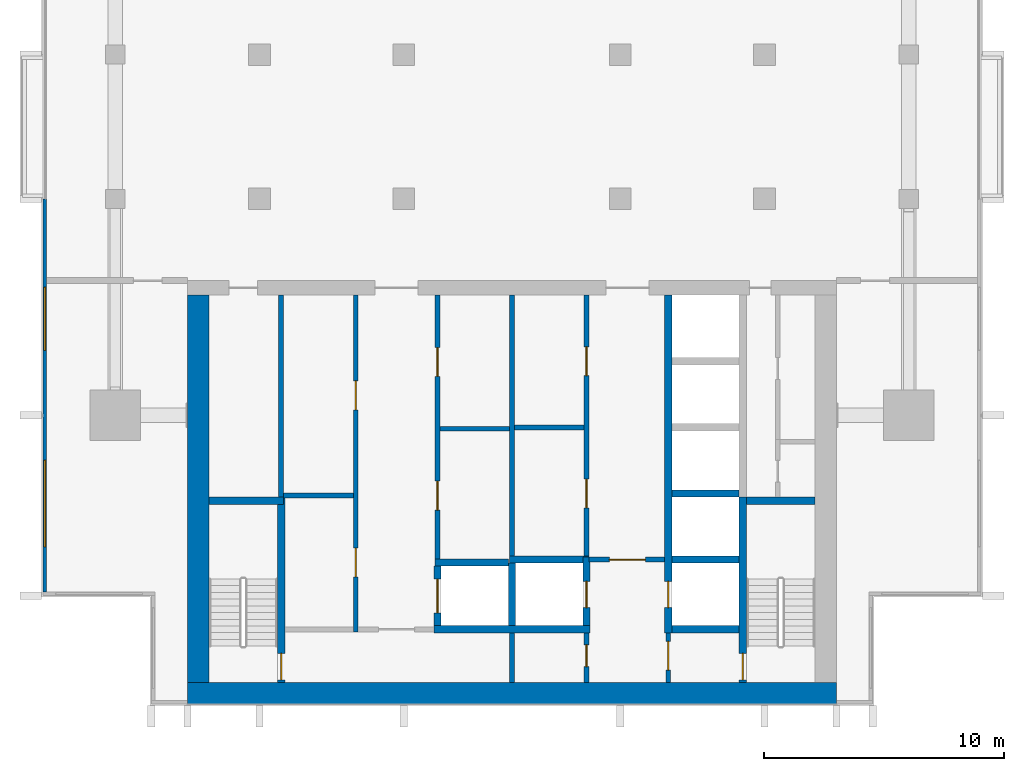
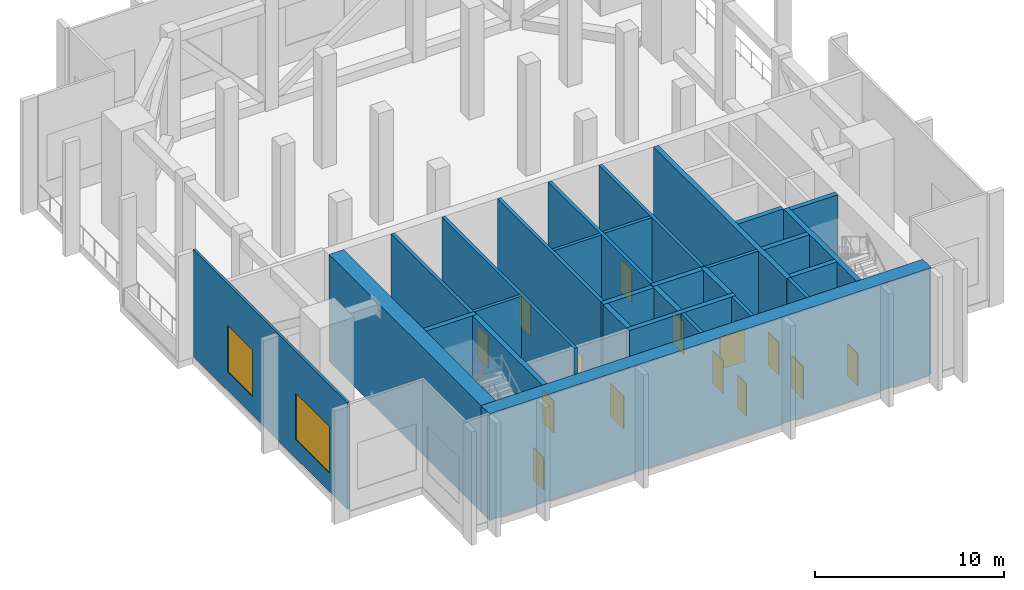
# One storey, part 2 of 9: 29 walls, 14 doors, 2 windows, 16 openings.
"""IFC4 building model written with IfcOpenShell, lengths in metres."""

import ifcopenshell
import ifcopenshell.guid

model = None  # the IFC model being written
_history = None  # IfcOwnerHistory: only IFC2X3 demands one
_inside = {}  # id of a spatial element -> (the spatial element, [elements in it])
_under = {}  # id of a project, library or spatial element -> (it, [spatial elements below it])
_declared = {}  # id of a project -> (the project, [libraries it declares])
_typed = {}  # id of a type object -> (the type object, [elements of that type])
_made_of = {}  # id of a material, layer set ... -> (it, [elements and type objects made of it])


def new_model(schema):
    """Start an empty IFC model of exactly this schema.

    Asked for "IFC4X3", IfcOpenShell would pick the latest addendum, in which some entities
    have other attributes; the version numbers below select the first issue.
    IFC2X3 requires an IfcOwnerHistory on every rooted entity: one is made here for all.
    """
    global model, _history
    if schema == "IFC4X3":
        model = ifcopenshell.file(schema_version=(4, 3, 0, 0))
    else:
        model = ifcopenshell.file(schema=schema)
    _inside.clear()
    _under.clear()
    _declared.clear()
    _typed.clear()
    _made_of.clear()
    _history = None
    if model.schema == "IFC2X3":
        org = make("IfcOrganization", Name="unknown")
        user = make(
            "IfcPersonAndOrganization",
            ThePerson=make("IfcPerson", FamilyName="unknown"),
            TheOrganization=org,
        )
        app = make(
            "IfcApplication",
            ApplicationDeveloper=org,
            Version="unknown",
            ApplicationFullName="unknown",
            ApplicationIdentifier="unknown",
        )
        _history = make(
            "IfcOwnerHistory",
            OwningUser=user,
            OwningApplication=app,
            ChangeAction="ADDED",
            CreationDate=0,
        )
    return model


def make(cls, **values):
    """One entity of the class cls with the attributes given. An attribute that is None is left unset."""
    return model.create_entity(
        cls, **{name: value for name, value in values.items() if value is not None}
    )


def rooted(cls, **values):
    """An entity with a GlobalId (a new one), such as an element, a storey or a relation."""
    return make(cls, GlobalId=ifcopenshell.guid.new(), OwnerHistory=_history, **values)


def si_unit(unit_type, name, prefix=None):
    """IfcSIUnit, for example si_unit("LENGTHUNIT", "METRE", prefix="MILLI")."""
    return make("IfcSIUnit", UnitType=unit_type, Prefix=prefix, Name=name)


def assignment(units):
    """IfcUnitAssignment: the units of a project."""
    return None if units is None else make("IfcUnitAssignment", Units=units)


def point(xyz):
    """IfcCartesianPoint."""
    return None if xyz is None else make("IfcCartesianPoint", Coordinates=xyz)


def direction(xyz):
    """IfcDirection."""
    return None if xyz is None else make("IfcDirection", DirectionRatios=xyz)


def frame(location, z_axis=None, x_axis=None):
    """IfcAxis2Placement3D, a coordinate frame: its origin and axes. An axis left out is left unset."""
    return make(
        "IfcAxis2Placement3D",
        Location=point(location),
        Axis=direction(z_axis),
        RefDirection=direction(x_axis),
    )


def frame_2d(location, x_axis=None):
    """IfcAxis2Placement2D, a coordinate frame in the plane: its origin and x axis."""
    return make(
        "IfcAxis2Placement2D", Location=point(location), RefDirection=direction(x_axis)
    )


def origin():
    """The frame at (0, 0, 0) with its axes left unset."""
    return frame((0.0, 0.0, 0.0))


def place(relative_to, where):
    """IfcLocalPlacement: puts the frame where relative to a parent placement (None: the world)."""
    return make(
        "IfcLocalPlacement", PlacementRelTo=relative_to, RelativePlacement=where
    )


def context(
    kind, dimensions, precision=None, world=None, true_north=None, identifier=None
):
    """IfcGeometricRepresentationContext, for example the 3D "Model" context."""
    return make(
        "IfcGeometricRepresentationContext",
        ContextIdentifier=identifier,
        ContextType=kind,
        CoordinateSpaceDimension=dimensions,
        Precision=precision,
        WorldCoordinateSystem=world,
        TrueNorth=true_north,
    )


def subcontext(parent, identifier, kind, view, scale=None):
    """IfcGeometricRepresentationSubContext, for example "Body" below "Model"."""
    return make(
        "IfcGeometricRepresentationSubContext",
        ContextIdentifier=identifier,
        ContextType=kind,
        ParentContext=parent,
        TargetScale=scale,
        TargetView=view,
    )


def project(units=None, contexts=None):
    """IfcProject with its units and contexts."""
    return rooted(
        "IfcProject",
        Name="project",
        RepresentationContexts=contexts,
        UnitsInContext=assignment(units),
    )


def spatial(cls, under=None, at=None, **own):
    """A site, building, storey or space (cls), placed at a placement, below another one or the project."""
    s = rooted(cls, ObjectPlacement=at, **own)
    if under is not None:
        _under.setdefault(under.id(), (under, []))[1].append(s)
    return s


def profile(cls, at=None, kind="AREA", **sizes):
    """A parametric profile (cls). Its sizes go by their IFC names, for example OverallWidth=200.0."""
    return make(cls, ProfileType=kind, Position=at, **sizes)


def rectangle(**sizes):
    """IfcRectangleProfileDef."""
    return profile("IfcRectangleProfileDef", **sizes)


def extrude(swept, where, along, depth):
    """IfcExtrudedAreaSolid: the profile swept, set in the frame where, extruded along a direction by depth."""
    return make(
        "IfcExtrudedAreaSolid",
        SweptArea=swept,
        Position=where,
        ExtrudedDirection=direction(along),
        Depth=depth,
    )


def shape(context_of_items, identifier, shape_type, items):
    """IfcShapeRepresentation: the items that make up one representation, for example the "Body"."""
    return make(
        "IfcShapeRepresentation",
        ContextOfItems=context_of_items,
        RepresentationIdentifier=identifier,
        RepresentationType=shape_type,
        Items=items,
    )


def material(Name=None, Category=None):
    """IfcMaterial."""
    return make("IfcMaterial", Name=Name, Category=Category)


def layer(
    of_material, thickness, ventilated=None, Name=None, Category=None, Priority=None
):
    """IfcMaterialLayer: one layer of a wall or slab, of a material (None: an air gap)."""
    return make(
        "IfcMaterialLayer",
        Material=of_material,
        LayerThickness=thickness,
        IsVentilated=ventilated,
        Name=Name,
        Category=Category,
        Priority=Priority,
    )


def layer_set(layers, Name=None):
    """IfcMaterialLayerSet."""
    return make("IfcMaterialLayerSet", MaterialLayers=layers, LayerSetName=Name)


def made_of(thing, what):
    """Note that an element or type object is made of a material, layer set ...; save() writes the relation."""
    if what is not None:
        _made_of.setdefault(what.id(), (what, []))[1].append(thing)
    return thing


def type_object(cls, material=None, **own):
    """A type object (cls), such as IfcWallType, which elements share."""
    return made_of(rooted(cls, **own), material)


def element(
    cls,
    number,
    at=None,
    inside=None,
    cuts=None,
    type_object=None,
    material=None,
    context=None,
    identifier="Body",
    shape_type=None,
    held_by="IfcProductDefinitionShape",
    body=None,
    shapes=None,
    **own,
):
    """One element of the class cls, such as IfcWall. Its Tag is "e" and its number.

    at: its placement. inside: the storey or other place that contains it. cuts: it is an
    opening in that element (IfcRelVoidsElement). A single representation is given by context,
    identifier, shape_type and body (its items); several are given by shapes. held_by: the class
    of the entity that holds the representations. save() writes the other relations.
    """
    e = rooted(cls, Tag="e%d" % number, ObjectPlacement=at, **own)
    if body is not None:
        shapes = [shape(context, identifier, shape_type, body)]
    if shapes is not None:
        e.Representation = make(held_by, Representations=shapes)
    if inside is not None:
        _inside.setdefault(inside.id(), (inside, []))[1].append(e)
    if cuts is not None:
        rooted(
            "IfcRelVoidsElement", RelatingBuildingElement=cuts, RelatedOpeningElement=e
        )
    if type_object is not None:
        _typed.setdefault(type_object.id(), (type_object, []))[1].append(e)
    return made_of(e, material)


def fill(opening, filler):
    """IfcRelFillsElement: the door or window that sits in an opening."""
    return rooted(
        "IfcRelFillsElement",
        RelatingOpeningElement=opening,
        RelatedBuildingElement=filler,
    )


def aggregate(whole, parts):
    """IfcRelAggregates: a whole, such as a stair, and the parts it consists of."""
    return rooted("IfcRelAggregates", RelatingObject=whole, RelatedObjects=parts)


def save(model, path):
    """Write the relations noted so far, then the file.

    IfcRelAggregates (storeys below a building ...), IfcRelContainedInSpatialStructure (elements
    in a storey), IfcRelDefinesByType, IfcRelAssociatesMaterial and IfcRelDeclares: one each for
    every whole, place, type object, material and project.
    """
    for whole, parts in _under.values():
        aggregate(whole, parts)
    for where, things in _inside.values():
        rooted(
            "IfcRelContainedInSpatialStructure",
            RelatedElements=things,
            RelatingStructure=where,
        )
    for kind, things in _typed.values():
        rooted("IfcRelDefinesByType", RelatedObjects=things, RelatingType=kind)
    for what, things in _made_of.values():
        rooted("IfcRelAssociatesMaterial", RelatedObjects=things, RelatingMaterial=what)
    for by, libraries in _declared.values():
        rooted("IfcRelDeclares", RelatingContext=by, RelatedDefinitions=libraries)
    model.write(path)


model = new_model("IFC4")

# Units and contexts
model_context = context("Model", 3, precision=1e-05, world=origin(), true_north=direction((0.0, 1.0)))
body_context = subcontext(model_context, "Body", "Model", "MODEL_VIEW")
ifc_project = project(units=[si_unit("LENGTHUNIT", "METRE"), si_unit("AREAUNIT", "SQUARE_METRE"), si_unit("VOLUMEUNIT", "CUBIC_METRE"), si_unit("PLANEANGLEUNIT", "RADIAN"), si_unit("MASSUNIT", "GRAM", prefix="KILO")], contexts=[model_context])

# Site, building, storey
site_placement = place(None, origin())
site = spatial("IfcSite", under=ifc_project, at=site_placement, CompositionType="ELEMENT")
building_placement = place(site_placement, origin())
building = spatial("IfcBuilding", under=site, at=building_placement, Name="Finial Court Residences", CompositionType="ELEMENT")
storey_placement = place(building_placement, frame((0.0, 0.0, 248.300048828125)))
storey = spatial("IfcBuildingStorey", under=building, at=storey_placement, Name="L63", CompositionType="ELEMENT", Elevation=248.300048828125)

# Walls
ifc_material_1 = material(Name="Concrete C60/75", Category="concrete")
ifc_layer_1 = layer(ifc_material_1, 0.89990234375)
ifc_layer_set_1 = layer_set([ifc_layer_1], Name="Core outer wall 900 Concrete C60/75")
wall_type_1 = type_object("IfcWallType", Name="Core outer wall 900 Concrete C60/75", PredefinedType="SHEAR", material=ifc_layer_set_1)
wall_1_placement = place(storey_placement, frame((-13.050048828125, -24.60009765625, 0.0), z_axis=(0.0, 0.0, 1.0), x_axis=(0.0, 1.0, 0.0)))
element("IfcWall", 1, at=wall_1_placement, inside=storey, type_object=wall_type_1, Name="Core outer wall L63-03", PredefinedType="SHEAR", context=body_context, shape_type="SweptSolid", body=[
    extrude(rectangle(XDim=16.10009765625, YDim=0.89990234375, at=frame_2d((8.050048828125, 0.0))), origin(), (0.0, 0.0, 1.0), 6.89990234375),
])
ifc_layer_2 = layer(ifc_material_1, 0.89990234375)
ifc_layer_set_2 = layer_set([ifc_layer_2], Name="Core south facade wall 900 Concrete C60/75")
wall_type_2 = type_object("IfcWallType", Name="Core south facade wall 900 Concrete C60/75", PredefinedType="SHEAR", material=ifc_layer_set_2)
wall_2_placement = place(storey_placement, frame((-13.5, -25.050048828125, 0.0), z_axis=(0.0, 0.0, 1.0), x_axis=(1.0, 0.0, 0.0)))
element("IfcWall", 2, at=wall_2_placement, inside=storey, type_object=wall_type_2, Name="Core outer wall L63-01", PredefinedType="SHEAR", context=body_context, shape_type="SweptSolid", body=[
    extrude(rectangle(XDim=27.0, YDim=0.89990234375, at=frame_2d((13.5, 0.0))), origin(), (0.0, 0.0, 1.0), 6.89990234375),
])

# Wall, opening, door
ifc_material_2 = material(Name="Fire-rated gypsum board partition")
ifc_layer_3 = layer(ifc_material_2, 0.199951171875)
ifc_layer_set_3 = layer_set([ifc_layer_3], Name="Firefighting lobby wall 200 EI 120")
wall_type_3 = type_object("IfcWallType", Name="Firefighting lobby wall 200 EI 120", PredefinedType="PARTITIONING", material=ifc_layer_set_3)
wall_3_placement = place(storey_placement, frame((6.35009765625, -19.5, 0.0), z_axis=(0.0, 0.0, 1.0), x_axis=(-1.0, 0.0, 0.0)))
wall_3 = element("IfcWall", 3, at=wall_3_placement, inside=storey, type_object=wall_type_3, Name="Core partition L63-07", PredefinedType="PARTITIONING", context=body_context, shape_type="SweptSolid", body=[
    extrude(rectangle(XDim=3.150146484375, YDim=0.199951171875, at=frame_2d((1.5751953125, 0.0))), origin(), (0.0, 0.0, 1.0), 6.89990234375),
])
opening_1_placement = place(wall_3_placement, frame((0.800048828125, 0.0, 0.0)))
opening_1 = element("IfcOpeningElement", 4, at=opening_1_placement, cuts=wall_3, Name="Opening L63-C02", PredefinedType="OPENING", context=body_context, shape_type="SweptSolid", body=[
    extrude(rectangle(XDim=1.5, YDim=2.10009765625, at=frame_2d((0.75, 1.050048828125))), frame((0.0, 0.10986328125, 0.0), z_axis=(0.0, -1.0, 0.0), x_axis=(1.0, 0.0, 0.0)), (0.0, 0.0, 1.0), 0.219970703125),
])
ifc_material_3 = material(Name="Steel fire door", Category="steel")
door_type_1 = type_object("IfcDoorType", Name="Firefighting lobby door 1500 x 2100 EI 90", OperationType="DOUBLE_DOOR_SINGLE_SWING", PredefinedType="DOOR", material=ifc_material_3)
door_1_placement = place(opening_1_placement, origin())
door_1 = element("IfcDoor", 5, at=door_1_placement, inside=storey, type_object=door_type_1, Name="Firefighting lobby door L63-C02", OperationType="DOUBLE_DOOR_SINGLE_SWING", OverallHeight=2.10009765625, OverallWidth=1.5, PredefinedType="DOOR", context=body_context, shape_type="SweptSolid", body=[
    extrude(rectangle(XDim=1.5, YDim=2.10009765625, at=frame_2d((0.75, 1.050048828125))), frame((0.0, 0.02490234375, 0.0), z_axis=(0.0, -1.0, 0.0), x_axis=(1.0, 0.0, 0.0)), (0.0, 0.0, 1.0), 0.050048828125),
])
fill(opening_1, door_1)

wall_4_placement = place(storey_placement, frame((3.10009765625, -24.60009765625, 0.0), z_axis=(0.0, 0.0, 1.0), x_axis=(0.0, 1.0, 0.0)))
wall_4 = element("IfcWall", 6, at=wall_4_placement, inside=storey, type_object=wall_type_3, Name="Core partition L63-26", PredefinedType="PARTITIONING", context=body_context, shape_type="SweptSolid", body=[
    extrude(rectangle(XDim=2.050048828125, YDim=0.199951171875, at=frame_2d((1.02490234375, 0.0))), origin(), (0.0, 0.0, 1.0), 6.89990234375),
])
opening_2_placement = place(wall_4_placement, frame((0.64990234375, 0.0, 0.0)))
opening_2 = element("IfcOpeningElement", 7, at=opening_2_placement, cuts=wall_4, Name="Opening L63-C15", PredefinedType="OPENING", context=body_context, shape_type="SweptSolid", body=[
    extrude(rectangle(XDim=0.89990234375, YDim=2.10009765625, at=frame_2d((0.449951171875, 1.050048828125))), frame((0.0, 0.10986328125, 0.0), z_axis=(0.0, -1.0, 0.0), x_axis=(1.0, 0.0, 0.0)), (0.0, 0.0, 1.0), 0.219970703125),
])
door_type_2 = type_object("IfcDoorType", Name="Riser room door 900 x 2100 EI 90", OperationType="NOTDEFINED", PredefinedType="DOOR", material=ifc_material_3)
door_2_placement = place(opening_2_placement, origin())
door_2 = element("IfcDoor", 8, at=door_2_placement, inside=storey, type_object=door_type_2, Name="Riser room door L63-C15", OperationType="SINGLE_SWING_LEFT", OverallHeight=2.10009765625, OverallWidth=0.89990234375, PredefinedType="DOOR", context=body_context, shape_type="SweptSolid", body=[
    extrude(rectangle(XDim=0.89990234375, YDim=2.10009765625, at=frame_2d((0.449951171875, 1.050048828125))), frame((0.0, 0.02490234375, 0.0), z_axis=(0.0, -1.0, 0.0), x_axis=(1.0, 0.0, 0.0)), (0.0, 0.0, 1.0), 0.050048828125),
])
fill(opening_2, door_2)

wall_5_placement = place(storey_placement, frame((6.5, -22.550048828125, 0.0), z_axis=(0.0, 0.0, 1.0), x_axis=(0.0, -1.0, 0.0)))
wall_5 = element("IfcWall", 9, at=wall_5_placement, inside=storey, type_object=wall_type_3, Name="Core partition L63-29", PredefinedType="PARTITIONING", context=body_context, shape_type="SweptSolid", body=[
    extrude(rectangle(XDim=2.050048828125, YDim=0.199951171875, at=frame_2d((1.02490234375, 0.0))), origin(), (0.0, 0.0, 1.0), 6.89990234375),
])
opening_3_placement = place(wall_5_placement, frame((0.35009765625, 0.0, 0.0)))
opening_3 = element("IfcOpeningElement", 10, at=opening_3_placement, cuts=wall_5, Name="Opening L63-C01", PredefinedType="OPENING", context=body_context, shape_type="SweptSolid", body=[
    extrude(rectangle(XDim=1.199951171875, YDim=2.10009765625, at=frame_2d((0.60009765625, 1.050048828125))), frame((0.0, 0.10986328125, 0.0), z_axis=(0.0, -1.0, 0.0), x_axis=(1.0, 0.0, 0.0)), (0.0, 0.0, 1.0), 0.219970703125),
])
door_type_3 = type_object("IfcDoorType", Name="Firefighting lobby door 1200 x 2100 EI 90", OperationType="NOTDEFINED", PredefinedType="DOOR", material=ifc_material_3)
door_3_placement = place(opening_3_placement, origin())
door_3 = element("IfcDoor", 11, at=door_3_placement, inside=storey, type_object=door_type_3, Name="Firefighting lobby door L63-C01", OperationType="SINGLE_SWING_RIGHT", OverallHeight=2.10009765625, OverallWidth=1.199951171875, PredefinedType="DOOR", context=body_context, shape_type="SweptSolid", body=[
    extrude(rectangle(XDim=1.199951171875, YDim=2.10009765625, at=frame_2d((0.60009765625, 1.050048828125))), frame((0.0, 0.02490234375, 0.0), z_axis=(0.0, -1.0, 0.0), x_axis=(1.0, 0.0, 0.0)), (0.0, 0.0, 1.0), 0.050048828125),
])
fill(opening_3, door_3)

# Walls
ifc_layer_4 = layer(ifc_material_1, 0.300048828125)
ifc_layer_set_4 = layer_set([ifc_layer_4], Name="Lift shaft and stair wall 300 Concrete C60/75")
wall_type_4 = type_object("IfcWallType", Name="Lift shaft and stair wall 300 Concrete C60/75", PredefinedType="SHEAR", material=ifc_layer_set_4)
wall_6_placement = place(storey_placement, frame((-3.25, -22.39990234375, 0.0), z_axis=(0.0, 0.0, 1.0), x_axis=(1.0, 0.0, 0.0)))
element("IfcWall", 12, at=wall_6_placement, inside=storey, type_object=wall_type_4, Name="Core wall L63-03", PredefinedType="SHEAR", context=body_context, shape_type="SweptSolid", body=[
    extrude(rectangle(XDim=6.5, YDim=0.300048828125, at=frame_2d((3.25, 0.0))), origin(), (0.0, 0.0, 1.0), 6.89990234375),
])
wall_7_placement = place(storey_placement, frame((6.64990234375, -22.39990234375, 0.0), z_axis=(0.0, 0.0, 1.0), x_axis=(1.0, 0.0, 0.0)))
element("IfcWall", 13, at=wall_7_placement, inside=storey, type_object=wall_type_4, Name="Core wall L63-04", PredefinedType="SHEAR", context=body_context, shape_type="SweptSolid", body=[
    extrude(rectangle(XDim=2.800048828125, YDim=0.300048828125, at=frame_2d((1.39990234375, 0.0))), origin(), (0.0, 0.0, 1.0), 6.89990234375),
])
wall_8_placement = place(storey_placement, frame((-3.199951171875, -19.6201171875, 0.0), z_axis=(0.0, 0.0, 1.0), x_axis=(1.0, 0.0, 0.0)))
element("IfcWall", 14, at=wall_8_placement, inside=storey, type_object=wall_type_4, Name="Core wall L63-05", PredefinedType="SHEAR", context=body_context, shape_type="SweptSolid", body=[
    extrude(rectangle(XDim=3.050048828125, YDim=0.300048828125, at=frame_2d((1.52490234375, 0.0))), origin(), (0.0, 0.0, 1.0), 6.89990234375),
])
wall_9_placement = place(storey_placement, frame((-0.10009765625, -19.5, 0.0), z_axis=(0.0, 0.0, 1.0), x_axis=(1.0, 0.0, 0.0)))
element("IfcWall", 15, at=wall_9_placement, inside=storey, type_object=wall_type_4, Name="Core wall L63-06", PredefinedType="SHEAR", context=body_context, shape_type="SweptSolid", body=[
    extrude(rectangle(XDim=3.300048828125, YDim=0.300048828125, at=frame_2d((1.64990234375, 0.0))), origin(), (0.0, 0.0, 1.0), 6.89990234375),
])
wall_10_placement = place(storey_placement, frame((6.64990234375, -19.5, 0.0), z_axis=(0.0, 0.0, 1.0), x_axis=(1.0, 0.0, 0.0)))
element("IfcWall", 16, at=wall_10_placement, inside=storey, type_object=wall_type_4, Name="Core wall L63-08", PredefinedType="SHEAR", context=body_context, shape_type="SweptSolid", body=[
    extrude(rectangle(XDim=2.800048828125, YDim=0.300048828125, at=frame_2d((1.39990234375, 0.0))), origin(), (0.0, 0.0, 1.0), 6.89990234375),
])
wall_11_placement = place(storey_placement, frame((-12.60009765625, -17.050048828125, 0.0), z_axis=(0.0, 0.0, 1.0), x_axis=(1.0, 0.0, 0.0)))
element("IfcWall", 17, at=wall_11_placement, inside=storey, type_object=wall_type_4, Name="Core wall L63-09", PredefinedType="SHEAR", context=body_context, shape_type="SweptSolid", body=[
    extrude(rectangle(XDim=3.10009765625, YDim=0.300048828125, at=frame_2d((1.550048828125, 0.0))), origin(), (0.0, 0.0, 1.0), 6.89990234375),
])
wall_12_placement = place(storey_placement, frame((9.75, -17.050048828125, 0.0), z_axis=(0.0, 0.0, 1.0), x_axis=(1.0, 0.0, 0.0)))
element("IfcWall", 18, at=wall_12_placement, inside=storey, type_object=wall_type_4, Name="Core wall L63-10", PredefinedType="SHEAR", context=body_context, shape_type="SweptSolid", body=[
    extrude(rectangle(XDim=2.85009765625, YDim=0.300048828125, at=frame_2d((1.425048828125, 0.0))), origin(), (0.0, 0.0, 1.0), 6.89990234375),
])
wall_13_placement = place(storey_placement, frame((6.64990234375, -16.75, 0.0), z_axis=(0.0, 0.0, 1.0), x_axis=(1.0, 0.0, 0.0)))
element("IfcWall", 19, at=wall_13_placement, inside=storey, type_object=wall_type_4, Name="Core wall L63-12", PredefinedType="SHEAR", context=body_context, shape_type="SweptSolid", body=[
    extrude(rectangle(XDim=2.800048828125, YDim=0.300048828125, at=frame_2d((1.39990234375, 0.0))), origin(), (0.0, 0.0, 1.0), 6.89990234375),
])

# Wall, opening, door
wall_14_placement = place(storey_placement, frame((-9.60009765625, -24.60009765625, 0.0), z_axis=(0.0, 0.0, 1.0), x_axis=(0.0, 1.0, 0.0)))
wall_14 = element("IfcWall", 20, at=wall_14_placement, inside=storey, type_object=wall_type_4, Name="Core wall L63-18", PredefinedType="SHEAR", context=body_context, shape_type="SweptSolid", body=[
    extrude(rectangle(XDim=7.7001953125, YDim=0.300048828125, at=frame_2d((3.85009765625, 0.0))), origin(), (0.0, 0.0, 1.0), 6.89990234375),
])
opening_4_placement = place(wall_14_placement, frame((0.10009765625, 0.0, 0.0)))
opening_4 = element("IfcOpeningElement", 21, at=opening_4_placement, cuts=wall_14, Name="Opening L63-C17", PredefinedType="OPENING", context=body_context, shape_type="SweptSolid", body=[
    extrude(rectangle(XDim=1.10009765625, YDim=2.10009765625, at=frame_2d((0.550048828125, 1.050048828125))), frame((0.0, 0.159912109375, 0.0), z_axis=(0.0, -1.0, 0.0), x_axis=(1.0, 0.0, 0.0)), (0.0, 0.0, 1.0), 0.320068359375),
])
door_type_4 = type_object("IfcDoorType", Name="Stair door 1100 x 2100 EI 90", OperationType="NOTDEFINED", PredefinedType="DOOR", material=ifc_material_3)
door_4_placement = place(opening_4_placement, origin())
door_4 = element("IfcDoor", 22, at=door_4_placement, inside=storey, type_object=door_type_4, Name="Stair door L63-C17", OperationType="SINGLE_SWING_LEFT", OverallHeight=2.10009765625, OverallWidth=1.10009765625, PredefinedType="DOOR", context=body_context, shape_type="SweptSolid", body=[
    extrude(rectangle(XDim=1.10009765625, YDim=2.10009765625, at=frame_2d((0.550048828125, 1.050048828125))), frame((0.0, 0.02490234375, 0.0), z_axis=(0.0, -1.0, 0.0), x_axis=(1.0, 0.0, 0.0)), (0.0, 0.0, 1.0), 0.050048828125),
])
fill(opening_4, door_4)

wall_15_placement = place(storey_placement, frame((-3.10009765625, -22.25, 0.0), z_axis=(0.0, 0.0, 1.0), x_axis=(0.0, 1.0, 0.0)))
wall_15 = element("IfcWall", 23, at=wall_15_placement, inside=storey, type_object=wall_type_4, Name="Core wall L63-21", PredefinedType="SHEAR", context=body_context, shape_type="SweptSolid", body=[
    extrude(rectangle(XDim=2.47998046875, YDim=0.300048828125, at=frame_2d((1.239990234375, 0.0))), origin(), (0.0, 0.0, 1.0), 6.89990234375),
])
opening_5_placement = place(wall_15_placement, frame((0.5400390625, 0.0, 0.0)))
opening_5 = element("IfcOpeningElement", 24, at=opening_5_placement, cuts=wall_15, Name="Opening L63-LD03", PredefinedType="OPENING", context=body_context, shape_type="SweptSolid", body=[
    extrude(rectangle(XDim=1.39990234375, YDim=2.10009765625, at=frame_2d((0.699951171875, 1.050048828125))), frame((0.0, 0.159912109375, 0.0), z_axis=(0.0, -1.0, 0.0), x_axis=(1.0, 0.0, 0.0)), (0.0, 0.0, 1.0), 0.320068359375),
])
ifc_material_4 = material(Name="Stainless steel lift door", Category="steel")
door_type_5 = type_object("IfcDoorType", Name="Lift landing door 1400 x 2100 EI 90", OperationType="DOUBLE_DOOR_SLIDING", PredefinedType="DOOR", material=ifc_material_4)
door_5_placement = place(opening_5_placement, origin())
door_5 = element("IfcDoor", 25, at=door_5_placement, inside=storey, type_object=door_type_5, Name="Lift landing door SV1 L63", OperationType="DOUBLE_DOOR_SLIDING", OverallHeight=2.10009765625, OverallWidth=1.39990234375, PredefinedType="DOOR", context=body_context, shape_type="SweptSolid", body=[
    extrude(rectangle(XDim=1.39990234375, YDim=2.10009765625, at=frame_2d((0.699951171875, 1.050048828125))), frame((0.0, 0.02490234375, 0.0), z_axis=(0.0, -1.0, 0.0), x_axis=(1.0, 0.0, 0.0)), (0.0, 0.0, 1.0), 0.050048828125),
])
fill(opening_5, door_5)

# Wall
wall_16_placement = place(storey_placement, frame((0.0, -22.25, 0.0), z_axis=(0.0, 0.0, 1.0), x_axis=(0.0, 1.0, 0.0)))
element("IfcWall", 26, at=wall_16_placement, inside=storey, type_object=wall_type_4, Name="Core wall L63-24", PredefinedType="SHEAR", context=body_context, shape_type="SweptSolid", body=[
    extrude(rectangle(XDim=2.60009765625, YDim=0.300048828125, at=frame_2d((1.300048828125, 0.0))), origin(), (0.0, 0.0, 1.0), 6.89990234375),
])

# Wall, opening, door
wall_17_placement = place(storey_placement, frame((3.10009765625, -22.25, 0.0), z_axis=(0.0, 0.0, 1.0), x_axis=(0.0, 1.0, 0.0)))
wall_17 = element("IfcWall", 27, at=wall_17_placement, inside=storey, type_object=wall_type_4, Name="Core wall L63-27", PredefinedType="SHEAR", context=body_context, shape_type="SweptSolid", body=[
    extrude(rectangle(XDim=2.85009765625, YDim=0.300048828125, at=frame_2d((1.425048828125, 0.0))), origin(), (0.0, 0.0, 1.0), 6.89990234375),
])
opening_6_placement = place(wall_17_placement, frame((0.75, 0.0, 0.0)))
opening_6 = element("IfcOpeningElement", 28, at=opening_6_placement, cuts=wall_17, Name="Opening L63-LD01", PredefinedType="OPENING", context=body_context, shape_type="SweptSolid", body=[
    extrude(rectangle(XDim=1.10009765625, YDim=2.10009765625, at=frame_2d((0.550048828125, 1.050048828125))), frame((0.0, 0.159912109375, 0.0), z_axis=(0.0, -1.0, 0.0), x_axis=(1.0, 0.0, 0.0)), (0.0, 0.0, 1.0), 0.320068359375),
])
door_type_6 = type_object("IfcDoorType", Name="Lift landing door 1100 x 2100 EI 90", OperationType="DOUBLE_DOOR_SLIDING", PredefinedType="DOOR", material=ifc_material_4)
door_6_placement = place(opening_6_placement, origin())
door_6 = element("IfcDoor", 29, at=door_6_placement, inside=storey, type_object=door_type_6, Name="Lift landing door FF1 L63", OperationType="DOUBLE_DOOR_SLIDING", OverallHeight=2.10009765625, OverallWidth=1.10009765625, PredefinedType="DOOR", context=body_context, shape_type="SweptSolid", body=[
    extrude(rectangle(XDim=1.10009765625, YDim=2.10009765625, at=frame_2d((0.550048828125, 1.050048828125))), frame((0.0, 0.02490234375, 0.0), z_axis=(0.0, -1.0, 0.0), x_axis=(1.0, 0.0, 0.0)), (0.0, 0.0, 1.0), 0.050048828125),
])
fill(opening_6, door_6)

wall_18_placement = place(storey_placement, frame((6.5, -22.550048828125, 0.0), z_axis=(0.0, 0.0, 1.0), x_axis=(0.0, 1.0, 0.0)))
wall_18 = element("IfcWall", 30, at=wall_18_placement, inside=storey, type_object=wall_type_4, Name="Core wall L63-30", PredefinedType="SHEAR", context=body_context, shape_type="SweptSolid", body=[
    extrude(rectangle(XDim=14.050048828125, YDim=0.300048828125, at=frame_2d((7.02490234375, 0.0))), origin(), (0.0, 0.0, 1.0), 6.89990234375),
])
opening_7_placement = place(wall_18_placement, frame((1.050048828125, 0.0, 0.0)))
opening_7 = element("IfcOpeningElement", 31, at=opening_7_placement, cuts=wall_18, Name="Opening L63-LD02", PredefinedType="OPENING", context=body_context, shape_type="SweptSolid", body=[
    extrude(rectangle(XDim=1.10009765625, YDim=2.10009765625, at=frame_2d((0.550048828125, 1.050048828125))), frame((0.0, 0.159912109375, 0.0), z_axis=(0.0, -1.0, 0.0), x_axis=(1.0, 0.0, 0.0)), (0.0, 0.0, 1.0), 0.320068359375),
])
door_7_placement = place(opening_7_placement, origin())
door_7 = element("IfcDoor", 32, at=door_7_placement, inside=storey, type_object=door_type_6, Name="Lift landing door FF2 L63", OperationType="DOUBLE_DOOR_SLIDING", OverallHeight=2.10009765625, OverallWidth=1.10009765625, PredefinedType="DOOR", context=body_context, shape_type="SweptSolid", body=[
    extrude(rectangle(XDim=1.10009765625, YDim=2.10009765625, at=frame_2d((0.550048828125, 1.050048828125))), frame((0.0, 0.02490234375, 0.0), z_axis=(0.0, -1.0, 0.0), x_axis=(1.0, 0.0, 0.0)), (0.0, 0.0, 1.0), 0.050048828125),
])
fill(opening_7, door_7)

wall_19_placement = place(storey_placement, frame((9.60009765625, -16.89990234375, 0.0), z_axis=(0.0, 0.0, 1.0), x_axis=(0.0, -1.0, 0.0)))
wall_19 = element("IfcWall", 33, at=wall_19_placement, inside=storey, type_object=wall_type_4, Name="Core wall L63-31", PredefinedType="SHEAR", context=body_context, shape_type="SweptSolid", body=[
    extrude(rectangle(XDim=7.7001953125, YDim=0.300048828125, at=frame_2d((3.85009765625, 0.0))), origin(), (0.0, 0.0, 1.0), 6.89990234375),
])
opening_8_placement = place(wall_19_placement, frame((6.5, 0.0, 0.0)))
opening_8 = element("IfcOpeningElement", 34, at=opening_8_placement, cuts=wall_19, Name="Opening L63-C18", PredefinedType="OPENING", context=body_context, shape_type="SweptSolid", body=[
    extrude(rectangle(XDim=1.10009765625, YDim=2.10009765625, at=frame_2d((0.550048828125, 1.050048828125))), frame((0.0, 0.159912109375, 0.0), z_axis=(0.0, -1.0, 0.0), x_axis=(1.0, 0.0, 0.0)), (0.0, 0.0, 1.0), 0.320068359375),
])
door_8_placement = place(opening_8_placement, origin())
door_8 = element("IfcDoor", 35, at=door_8_placement, inside=storey, type_object=door_type_4, Name="Stair door L63-C18", OperationType="SINGLE_SWING_RIGHT", OverallHeight=2.10009765625, OverallWidth=1.10009765625, PredefinedType="DOOR", context=body_context, shape_type="SweptSolid", body=[
    extrude(rectangle(XDim=1.10009765625, YDim=2.10009765625, at=frame_2d((0.550048828125, 1.050048828125))), frame((0.0, 0.02490234375, 0.0), z_axis=(0.0, -1.0, 0.0), x_axis=(1.0, 0.0, 0.0)), (0.0, 0.0, 1.0), 0.050048828125),
])
fill(opening_8, door_8)

# Wall, openings, windows
ifc_material_5 = material(Name="Natural limestone", Category="masonry")
ifc_layer_5 = layer(ifc_material_5, 0.14990234375)
ifc_layer_set_5 = layer_set([ifc_layer_5], Name="Plant storey wall, limestone clad 150")
wall_type_5 = type_object("IfcWallType", Name="Plant storey wall, limestone clad 150", PredefinedType="SOLIDWALL", material=ifc_layer_set_5)
wall_20_placement = place(storey_placement, frame((-19.425048828125, -20.85009765625, 0.0), z_axis=(0.0, 0.0, 1.0), x_axis=(0.0, 1.0, 0.0)))
wall_20 = element("IfcWall", 36, at=wall_20_placement, inside=storey, type_object=wall_type_5, Name="E-L63-PWW5", PredefinedType="SOLIDWALL", context=body_context, shape_type="SweptSolid", body=[
    extrude(rectangle(XDim=16.35009765625, YDim=0.14990234375, at=frame_2d((8.175048828125, 0.0))), origin(), (0.0, 0.0, 1.0), 6.89990234375),
])
opening_9_placement = place(wall_20_placement, frame((1.875, 0.0, 1.199951171875)))
opening_9 = element("IfcOpeningElement", 37, at=opening_9_placement, cuts=wall_20, Name="Opening WE63-08", PredefinedType="OPENING", context=body_context, shape_type="SweptSolid", body=[
    extrude(rectangle(XDim=3.60009765625, YDim=3.0, at=frame_2d((1.800048828125, 1.5))), frame((0.0, 0.0849609375, 0.0), z_axis=(0.0, -1.0, 0.0), x_axis=(1.0, 0.0, 0.0)), (0.0, 0.0, 1.0), 0.169921875),
])
opening_10_placement = place(wall_20_placement, frame((10.050048828125, 0.0, 1.199951171875)))
opening_10 = element("IfcOpeningElement", 38, at=opening_10_placement, cuts=wall_20, Name="Opening WE63-09", PredefinedType="OPENING", context=body_context, shape_type="SweptSolid", body=[
    extrude(rectangle(XDim=2.625, YDim=3.0, at=frame_2d((1.3125, 1.5))), frame((0.0, 0.0849609375, 0.0), z_axis=(0.0, -1.0, 0.0), x_axis=(1.0, 0.0, 0.0)), (0.0, 0.0, 1.0), 0.169921875),
])
ifc_material_6 = material(Name="Bronze anodised aluminium", Category="aluminium")
window_type_1 = type_object("IfcWindowType", Name="Plant louvre 2625 x 3000", PartitioningType="SINGLE_PANEL", PredefinedType="WINDOW", material=ifc_material_6)
window_1_placement = place(opening_10_placement, origin())
window_1 = element("IfcWindow", 39, at=window_1_placement, inside=storey, type_object=window_type_1, Name="E-L63-PWW5-W2", OverallHeight=3.0, OverallWidth=2.625, PartitioningType="SINGLE_PANEL", PredefinedType="WINDOW", context=body_context, shape_type="SweptSolid", body=[
    extrude(rectangle(XDim=2.625, YDim=3.0, at=frame_2d((1.3125, 1.5))), frame((0.0, 0.030029296875, 0.0), z_axis=(0.0, -1.0, 0.0), x_axis=(1.0, 0.0, 0.0)), (0.0, 0.0, 1.0), 0.06005859375),
])
fill(opening_10, window_1)
window_type_2 = type_object("IfcWindowType", Name="Plant louvre 3600 x 3000", PartitioningType="SINGLE_PANEL", PredefinedType="WINDOW", material=ifc_material_6)
window_2_placement = place(opening_9_placement, origin())
window_2 = element("IfcWindow", 40, at=window_2_placement, inside=storey, type_object=window_type_2, Name="E-L63-PWW5-W1", OverallHeight=3.0, OverallWidth=3.60009765625, PartitioningType="SINGLE_PANEL", PredefinedType="WINDOW", context=body_context, shape_type="SweptSolid", body=[
    extrude(rectangle(XDim=3.60009765625, YDim=3.0, at=frame_2d((1.800048828125, 1.5))), frame((0.0, 0.030029296875, 0.0), z_axis=(0.0, -1.0, 0.0), x_axis=(1.0, 0.0, 0.0)), (0.0, 0.0, 1.0), 0.06005859375),
])
fill(opening_9, window_2)

# Wall, openings, doors
ifc_layer_6 = layer(ifc_material_2, 0.199951171875)
ifc_layer_set_6 = layer_set([ifc_layer_6], Name="Refuge area wall 200 EI 120")
wall_type_6 = type_object("IfcWallType", Name="Refuge area wall 200 EI 120", PredefinedType="PARTITIONING", material=ifc_layer_set_6)
wall_21_placement = place(storey_placement, frame((3.10009765625, -19.60009765625, 0.0), z_axis=(0.0, 0.0, 1.0), x_axis=(0.0, 1.0, 0.0)))
wall_21 = element("IfcWall", 41, at=wall_21_placement, inside=storey, type_object=wall_type_6, Name="Core partition L63-28", PredefinedType="PARTITIONING", context=body_context, shape_type="SweptSolid", body=[
    extrude(rectangle(XDim=11.10009765625, YDim=0.199951171875, at=frame_2d((5.550048828125, 0.0))), origin(), (0.0, 0.0, 1.0), 6.89990234375),
])
opening_11_placement = place(wall_21_placement, frame((2.25, 0.0, 0.0)))
opening_11 = element("IfcOpeningElement", 42, at=opening_11_placement, cuts=wall_21, Name="Opening L63-C11", PredefinedType="OPENING", context=body_context, shape_type="SweptSolid", body=[
    extrude(rectangle(XDim=1.199951171875, YDim=2.10009765625, at=frame_2d((0.60009765625, 1.050048828125))), frame((0.0, 0.10986328125, 0.0), z_axis=(0.0, -1.0, 0.0), x_axis=(1.0, 0.0, 0.0)), (0.0, 0.0, 1.0), 0.219970703125),
])
opening_12_placement = place(wall_21_placement, frame((7.75, 0.0, 0.0)))
opening_12 = element("IfcOpeningElement", 43, at=opening_12_placement, cuts=wall_21, Name="Opening L63-C12", PredefinedType="OPENING", context=body_context, shape_type="SweptSolid", body=[
    extrude(rectangle(XDim=1.199951171875, YDim=2.10009765625, at=frame_2d((0.60009765625, 1.050048828125))), frame((0.0, 0.10986328125, 0.0), z_axis=(0.0, -1.0, 0.0), x_axis=(1.0, 0.0, 0.0)), (0.0, 0.0, 1.0), 0.219970703125),
])
door_type_7 = type_object("IfcDoorType", Name="Riser room door 1200 x 2100 EI 90", OperationType="NOTDEFINED", PredefinedType="DOOR", material=ifc_material_3)
door_9_placement = place(opening_11_placement, origin())
door_9 = element("IfcDoor", 44, at=door_9_placement, inside=storey, type_object=door_type_7, Name="Riser room door L63-C11", OperationType="SINGLE_SWING_LEFT", OverallHeight=2.10009765625, OverallWidth=1.199951171875, PredefinedType="DOOR", context=body_context, shape_type="SweptSolid", body=[
    extrude(rectangle(XDim=1.199951171875, YDim=2.10009765625, at=frame_2d((0.60009765625, 1.050048828125))), frame((0.0, 0.02490234375, 0.0), z_axis=(0.0, -1.0, 0.0), x_axis=(1.0, 0.0, 0.0)), (0.0, 0.0, 1.0), 0.050048828125),
])
fill(opening_11, door_9)
door_10_placement = place(opening_12_placement, origin())
door_10 = element("IfcDoor", 45, at=door_10_placement, inside=storey, type_object=door_type_7, Name="Riser room door L63-C12", OperationType="SINGLE_SWING_LEFT", OverallHeight=2.10009765625, OverallWidth=1.199951171875, PredefinedType="DOOR", context=body_context, shape_type="SweptSolid", body=[
    extrude(rectangle(XDim=1.199951171875, YDim=2.10009765625, at=frame_2d((0.60009765625, 1.050048828125))), frame((0.0, 0.02490234375, 0.0), z_axis=(0.0, -1.0, 0.0), x_axis=(1.0, 0.0, 0.0)), (0.0, 0.0, 1.0), 0.050048828125),
])
fill(opening_12, door_10)

# Walls
ifc_layer_7 = layer(ifc_material_2, 0.199951171875)
ifc_layer_set_7 = layer_set([ifc_layer_7], Name="Riser room wall 200 EI 120")
wall_type_7 = type_object("IfcWallType", Name="Riser room wall 200 EI 120", PredefinedType="PARTITIONING", material=ifc_layer_set_7)
for number, where, z_axis, x_axis, name in (
    (46, (-9.5, -16.840087890625, 0.0), (0.0, 0.0, 1.0), (1.0, 0.0, 0.0), "Core partition L63-11"),
    (47, (-3.0, -14.06005859375, 0.0), (0.0, 0.0, 1.0), (1.0, 0.0, 0.0), "Core partition L63-14"),
    (48, (0.10009765625, -14.0, 0.0), (0.0, 0.0, 1.0), (1.0, 0.0, 0.0), "Core partition L63-15"),
):
    element("IfcWall", number, at=place(storey_placement, frame(where, z_axis=z_axis, x_axis=x_axis)), inside=storey, type_object=wall_type_7, Name=name, PredefinedType="PARTITIONING", context=body_context, shape_type="SweptSolid", body=[
        extrude(rectangle(XDim=2.89990234375, YDim=0.199951171875, at=frame_2d((1.449951171875, 0.0))), origin(), (0.0, 0.0, 1.0), 6.89990234375),
    ])
wall_22_placement = place(storey_placement, frame((-9.60009765625, -16.89990234375, 0.0), z_axis=(0.0, 0.0, 1.0), x_axis=(0.0, 1.0, 0.0)))
element("IfcWall", 49, at=wall_22_placement, inside=storey, type_object=wall_type_7, Name="Core partition L63-19", PredefinedType="PARTITIONING", context=body_context, shape_type="SweptSolid", body=[
    extrude(rectangle(XDim=8.39990234375, YDim=0.199951171875, at=frame_2d((4.199951171875, 0.0))), origin(), (0.0, 0.0, 1.0), 6.89990234375),
])

# Wall, openings, doors
wall_23_placement = place(storey_placement, frame((-6.5, -22.5, 0.0), z_axis=(0.0, 0.0, 1.0), x_axis=(0.0, 1.0, 0.0)))
wall_23 = element("IfcWall", 50, at=wall_23_placement, inside=storey, type_object=wall_type_7, Name="Core partition L63-20", PredefinedType="PARTITIONING", context=body_context, shape_type="SweptSolid", body=[
    extrude(rectangle(XDim=14.0, YDim=0.199951171875, at=frame_2d((7.0, 0.0))), origin(), (0.0, 0.0, 1.0), 6.89990234375),
])
opening_13_placement = place(wall_23_placement, frame((2.280029296875, 0.0, 0.0)))
opening_13 = element("IfcOpeningElement", 51, at=opening_13_placement, cuts=wall_23, Name="Opening L63-C07", PredefinedType="OPENING", context=body_context, shape_type="SweptSolid", body=[
    extrude(rectangle(XDim=1.199951171875, YDim=2.10009765625, at=frame_2d((0.60009765625, 1.050048828125))), frame((0.0, 0.10986328125, 0.0), z_axis=(0.0, -1.0, 0.0), x_axis=(1.0, 0.0, 0.0)), (0.0, 0.0, 1.0), 0.219970703125),
])
opening_14_placement = place(wall_23_placement, frame((9.22998046875, 0.0, 0.0)))
opening_14 = element("IfcOpeningElement", 52, at=opening_14_placement, cuts=wall_23, Name="Opening L63-C08", PredefinedType="OPENING", context=body_context, shape_type="SweptSolid", body=[
    extrude(rectangle(XDim=1.199951171875, YDim=2.10009765625, at=frame_2d((0.60009765625, 1.050048828125))), frame((0.0, 0.10986328125, 0.0), z_axis=(0.0, -1.0, 0.0), x_axis=(1.0, 0.0, 0.0)), (0.0, 0.0, 1.0), 0.219970703125),
])
door_11_placement = place(opening_13_placement, origin())
door_11 = element("IfcDoor", 53, at=door_11_placement, inside=storey, type_object=door_type_7, Name="Riser room door L63-C07", OperationType="SINGLE_SWING_LEFT", OverallHeight=2.10009765625, OverallWidth=1.199951171875, PredefinedType="DOOR", context=body_context, shape_type="SweptSolid", body=[
    extrude(rectangle(XDim=1.199951171875, YDim=2.10009765625, at=frame_2d((0.60009765625, 1.050048828125))), frame((0.0, 0.02490234375, 0.0), z_axis=(0.0, -1.0, 0.0), x_axis=(1.0, 0.0, 0.0)), (0.0, 0.0, 1.0), 0.050048828125),
])
fill(opening_13, door_11)
door_12_placement = place(opening_14_placement, origin())
door_12 = element("IfcDoor", 54, at=door_12_placement, inside=storey, type_object=door_type_7, Name="Riser room door L63-C08", OperationType="SINGLE_SWING_LEFT", OverallHeight=2.10009765625, OverallWidth=1.199951171875, PredefinedType="DOOR", context=body_context, shape_type="SweptSolid", body=[
    extrude(rectangle(XDim=1.199951171875, YDim=2.10009765625, at=frame_2d((0.60009765625, 1.050048828125))), frame((0.0, 0.02490234375, 0.0), z_axis=(0.0, -1.0, 0.0), x_axis=(1.0, 0.0, 0.0)), (0.0, 0.0, 1.0), 0.050048828125),
])
fill(opening_14, door_12)

wall_24_placement = place(storey_placement, frame((-3.10009765625, -8.5, 0.0), z_axis=(0.0, 0.0, 1.0), x_axis=(0.0, -1.0, 0.0)))
wall_24 = element("IfcWall", 55, at=wall_24_placement, inside=storey, type_object=wall_type_7, Name="Core partition L63-22", PredefinedType="PARTITIONING", context=body_context, shape_type="SweptSolid", body=[
    extrude(rectangle(XDim=10.969970703125, YDim=0.199951171875, at=frame_2d((5.48486328125, 0.0))), origin(), (0.0, 0.0, 1.0), 6.89990234375),
])
opening_15_placement = place(wall_24_placement, frame((7.739990234375, 0.0, 0.0)))
opening_15 = element("IfcOpeningElement", 56, at=opening_15_placement, cuts=wall_24, Name="Opening L63-C09", PredefinedType="OPENING", context=body_context, shape_type="SweptSolid", body=[
    extrude(rectangle(XDim=1.199951171875, YDim=2.10009765625, at=frame_2d((0.60009765625, 1.050048828125))), frame((0.0, 0.10986328125, 0.0), z_axis=(0.0, -1.0, 0.0), x_axis=(1.0, 0.0, 0.0)), (0.0, 0.0, 1.0), 0.219970703125),
])
opening_16_placement = place(wall_24_placement, frame((2.179931640625, 0.0, 0.0)))
opening_16 = element("IfcOpeningElement", 57, at=opening_16_placement, cuts=wall_24, Name="Opening L63-C10", PredefinedType="OPENING", context=body_context, shape_type="SweptSolid", body=[
    extrude(rectangle(XDim=1.199951171875, YDim=2.10009765625, at=frame_2d((0.60009765625, 1.050048828125))), frame((0.0, 0.10986328125, 0.0), z_axis=(0.0, -1.0, 0.0), x_axis=(1.0, 0.0, 0.0)), (0.0, 0.0, 1.0), 0.219970703125),
])
door_13_placement = place(opening_15_placement, origin())
door_13 = element("IfcDoor", 58, at=door_13_placement, inside=storey, type_object=door_type_7, Name="Riser room door L63-C09", OperationType="SINGLE_SWING_LEFT", OverallHeight=2.10009765625, OverallWidth=1.199951171875, PredefinedType="DOOR", context=body_context, shape_type="SweptSolid", body=[
    extrude(rectangle(XDim=1.199951171875, YDim=2.10009765625, at=frame_2d((0.60009765625, 1.050048828125))), frame((0.0, 0.02490234375, 0.0), z_axis=(0.0, -1.0, 0.0), x_axis=(1.0, 0.0, 0.0)), (0.0, 0.0, 1.0), 0.050048828125),
])
fill(opening_15, door_13)
door_14_placement = place(opening_16_placement, origin())
door_14 = element("IfcDoor", 59, at=door_14_placement, inside=storey, type_object=door_type_7, Name="Riser room door L63-C10", OperationType="SINGLE_SWING_LEFT", OverallHeight=2.10009765625, OverallWidth=1.199951171875, PredefinedType="DOOR", context=body_context, shape_type="SweptSolid", body=[
    extrude(rectangle(XDim=1.199951171875, YDim=2.10009765625, at=frame_2d((0.60009765625, 1.050048828125))), frame((0.0, 0.02490234375, 0.0), z_axis=(0.0, -1.0, 0.0), x_axis=(1.0, 0.0, 0.0)), (0.0, 0.0, 1.0), 0.050048828125),
])
fill(opening_16, door_14)

# Walls
wall_25_placement = place(storey_placement, frame((0.0, -24.60009765625, 0.0), z_axis=(0.0, 0.0, 1.0), x_axis=(0.0, 1.0, 0.0)))
element("IfcWall", 60, at=wall_25_placement, inside=storey, type_object=wall_type_7, Name="Core partition L63-23", PredefinedType="PARTITIONING", context=body_context, shape_type="SweptSolid", body=[
    extrude(rectangle(XDim=2.050048828125, YDim=0.199951171875, at=frame_2d((1.02490234375, 0.0))), origin(), (0.0, 0.0, 1.0), 6.89990234375),
])
wall_26_placement = place(storey_placement, frame((0.0, -19.35009765625, 0.0), z_axis=(0.0, 0.0, 1.0), x_axis=(0.0, 1.0, 0.0)))
element("IfcWall", 61, at=wall_26_placement, inside=storey, type_object=wall_type_7, Name="Core partition L63-25", PredefinedType="PARTITIONING", context=body_context, shape_type="SweptSolid", body=[
    extrude(rectangle(XDim=10.85009765625, YDim=0.199951171875, at=frame_2d((5.425048828125, 0.0))), origin(), (0.0, 0.0, 1.0), 6.89990234375),
])

save(model, "model.ifc")
